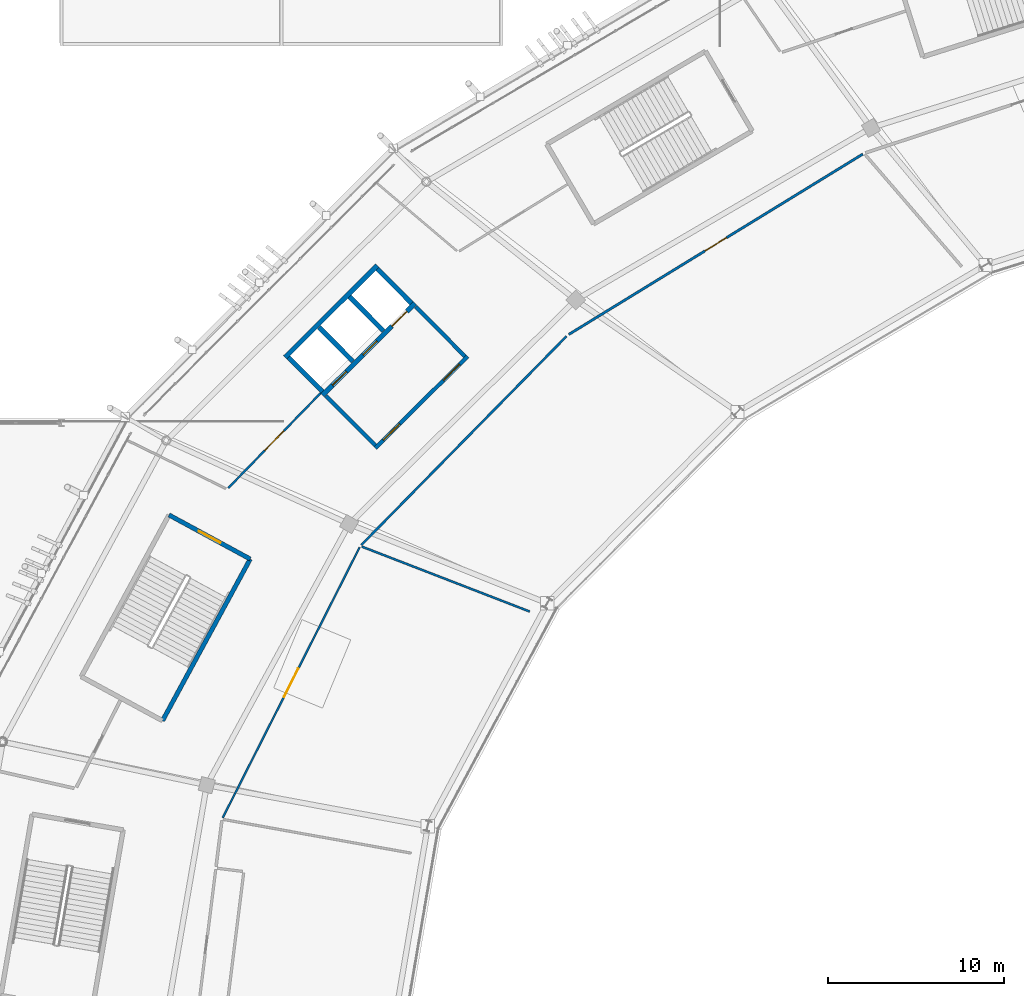
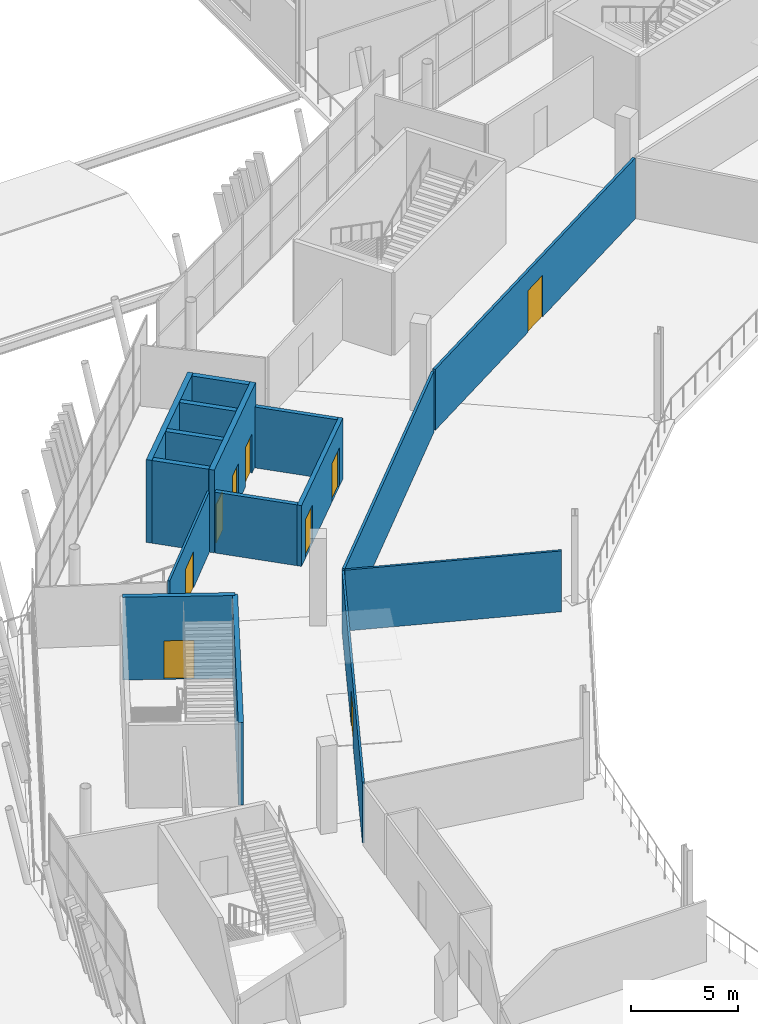
# One storey, part 128 of 179: 16 walls, 9 doors, 9 openings.
"""IFC4 building model written with IfcOpenShell, lengths in metres."""

from ifc_helpers import new_model, si_unit, direction, frame, frame_2d, origin, place, context, subcontext, project, spatial, rectangle, extrude, material, layer, layer_set, type_object, element, fill, save


model = new_model("IFC4")

# Units and contexts
model_context = context("Model", 3, precision=1e-05, world=origin(), true_north=direction((0.0, 1.0)))
body_context = subcontext(model_context, "Body", "Model", "MODEL_VIEW")
ifc_project = project(units=[si_unit("LENGTHUNIT", "METRE"), si_unit("AREAUNIT", "SQUARE_METRE"), si_unit("VOLUMEUNIT", "CUBIC_METRE"), si_unit("PLANEANGLEUNIT", "RADIAN"), si_unit("MASSUNIT", "GRAM", prefix="KILO")], contexts=[model_context])

# Site, building, storey
site_placement = place(None, origin())
site = spatial("IfcSite", under=ifc_project, at=site_placement, CompositionType="ELEMENT")
building_placement = place(site_placement, origin())
building = spatial("IfcBuilding", under=site, at=building_placement, Name="Zlatoyarsky Gate Stadium", CompositionType="ELEMENT")
storey_placement = place(building_placement, frame((0.0, 0.0, 10.60009765625)))
storey = spatial("IfcBuildingStorey", under=building, at=storey_placement, Name="L02", CompositionType="ELEMENT", Elevation=10.60009765625)

# Wall, opening, door
ifc_material_1 = material(Name="Anodised aluminium acoustic operable wall", Category="aluminium")
ifc_layer_1 = layer(ifc_material_1, 0.114990234375)
ifc_layer_set_1 = layer_set([ifc_layer_1], Name="Anodised aluminium acoustic operable wall")
wall_type_1 = type_object("IfcWallType", Name="ACOUSTIC OPERABLE SUITE WALL 115", PredefinedType="MOVABLE", material=ifc_layer_set_1)
wall_1_placement = place(storey_placement, frame((39.226318359375, 118.187744140625, 0.0), z_axis=(0.0, 0.0, 1.0), x_axis=(-0.697422964576, -0.716659757822, 0.0)))
wall_1 = element("IfcWall", 1, at=wall_1_placement, inside=storey, type_object=wall_type_1, Name="L02 interior partition PRT-L02-OCC-09-1", PredefinedType="MOVABLE", context=body_context, shape_type="SweptSolid", body=[
    extrude(rectangle(XDim=7.52587890625, YDim=0.114990234375, at=frame_2d((3.762939453125, 0.0))), origin(), (0.0, 0.0, 1.0), 3.469970703125),
])
opening_1_placement = place(wall_1_placement, frame((2.98291015625, 0.0, 0.0)))
opening_1 = element("IfcOpeningElement", 2, at=opening_1_placement, cuts=wall_1, Name="Opening D-L02-358", PredefinedType="OPENING", context=body_context, shape_type="SweptSolid", body=[
    extrude(rectangle(XDim=1.56005859375, YDim=2.10009765625, at=frame_2d((0.780029296875, 1.050048828125))), frame((0.0, 0.0673828125, 0.0), z_axis=(0.0, -1.0, 0.0), x_axis=(1.0, 0.0, 0.0)), (0.0, 0.0, 1.0), 0.135009765625),
])
ifc_material_2 = material(Name="Solid-core oak veneer acoustic door", Category="wood")
door_type_1 = type_object("IfcDoorType", Name="ACOUSTIC INTERIOR DOOR 1560X2100", OperationType="NOTDEFINED", PredefinedType="DOOR", material=ifc_material_2)
door_1_placement = place(opening_1_placement, origin())
door_1 = element("IfcDoor", 3, at=door_1_placement, inside=storey, type_object=door_type_1, Name="L02 room door D-L02-358", OperationType="SINGLE_SWING_LEFT", OverallHeight=2.10009765625, OverallWidth=1.56005859375, PredefinedType="DOOR", context=body_context, shape_type="SweptSolid", body=[
    extrude(rectangle(XDim=1.56005859375, YDim=2.10009765625, at=frame_2d((0.780029296875, 1.050048828125))), frame((0.0, 0.02490234375, 0.0), z_axis=(0.0, -1.0, 0.0), x_axis=(1.0, 0.0, 0.0)), (0.0, 0.0, 1.0), 0.050048828125),
])
fill(opening_1, door_1)

ifc_material_3 = material(Name="Moisture-resistant masonry partition", Category="masonry")
ifc_layer_2 = layer(ifc_material_3, 0.139892578125)
ifc_layer_set_2 = layer_set([ifc_layer_2], Name="Moisture-resistant masonry partition")
wall_type_2 = type_object("IfcWallType", Name="ATHLETE CHANGING BLOCK PARTITION 140", PredefinedType="PARTITIONING", material=ifc_layer_set_2)
wall_2_placement = place(storey_placement, frame((70.033447265625, 131.771728515625, 0.0), z_axis=(0.0, 0.0, 1.0), x_axis=(-0.852383811978, -0.522916663607, 0.0)))
wall_2 = element("IfcWall", 4, at=wall_2_placement, inside=storey, type_object=wall_type_2, Name="L02 interior partition PRT-L02-ICC-08", PredefinedType="PARTITIONING", context=body_context, shape_type="SweptSolid", body=[
    extrude(rectangle(XDim=19.596923828125, YDim=0.139892578125, at=frame_2d((9.79833984375, 0.0))), origin(), (0.0, 0.0, 1.0), 3.469970703125),
])
opening_2_placement = place(wall_2_placement, frame((9.07861328125, 0.0, 0.0)))
opening_2 = element("IfcOpeningElement", 5, at=opening_2_placement, cuts=wall_2, Name="Opening D-L02-303", PredefinedType="OPENING", context=body_context, shape_type="SweptSolid", body=[
    extrude(rectangle(XDim=1.43994140625, YDim=2.3798828125, at=frame_2d((0.719970703125, 1.18994140625))), frame((0.0, 0.079833984375, 0.0), z_axis=(0.0, -1.0, 0.0), x_axis=(1.0, 0.0, 0.0)), (0.0, 0.0, 1.0), 0.159912109375),
])
ifc_material_4 = material(Name="Powder-coated steel fire door", Category="steel")
door_type_2 = type_object("IfcDoorType", Name="ACOUSTIC INTERIOR DOOR 1440X2380", OperationType="NOTDEFINED", PredefinedType="DOOR", material=ifc_material_4)
door_2_placement = place(opening_2_placement, origin())
door_2 = element("IfcDoor", 6, at=door_2_placement, inside=storey, type_object=door_type_2, Name="L02 room door D-L02-303", OperationType="SINGLE_SWING_LEFT", OverallHeight=2.3798828125, OverallWidth=1.43994140625, PredefinedType="DOOR", context=body_context, shape_type="SweptSolid", body=[
    extrude(rectangle(XDim=1.43994140625, YDim=2.3798828125, at=frame_2d((0.719970703125, 1.18994140625))), frame((0.0, 0.02490234375, 0.0), z_axis=(0.0, -1.0, 0.0), x_axis=(1.0, 0.0, 0.0)), (0.0, 0.0, 1.0), 0.050048828125),
])
fill(opening_2, door_2)

# Walls
ifc_material_5 = material(Name="Concrete C40/50", Category="concrete")
ifc_layer_3 = layer(ifc_material_5, 0.27001953125)
ifc_layer_set_3 = layer_set([ifc_layer_3], Name="Concrete C40/50")
wall_type_3 = type_object("IfcWallType", Name="CONCRETE LIFT SHAFT SHEAR WALL 270", PredefinedType="SHEAR", material=ifc_layer_set_3)
wall_3_placement = place(storey_placement, frame((42.452880859375, 125.443603515625, 0.0), z_axis=(0.0, 0.0, 1.0), x_axis=(-0.708902567846, -0.705306422274, 0.0)))
element("IfcWall", 7, at=wall_3_placement, inside=storey, type_object=wall_type_3, Name="C2 L02 lift shaft rear wall", PredefinedType="SHEAR", context=body_context, shape_type="SweptSolid", body=[
    extrude(rectangle(XDim=7.39990234375, YDim=0.27001953125, at=frame_2d((3.699951171875, 0.0))), origin(), (0.0, 0.0, 1.0), 4.719970703125),
])
for number, where, z_axis, x_axis, name in (
    (8, (42.45947265625, 125.24560546875, 0.0), (0.0, 0.0, 1.0), (0.705322518225, -0.708886553183, 0.0), "C2 L02 lift shaft left wall"),
    (9, (37.405029296875, 120.216796875, 0.0), (0.0, 0.0, 1.0), (0.705322518225, -0.708886553183, 0.0), "C2 L02 lift shaft right wall"),
    (10, (40.87158203125, 123.665771484375, 0.0), (0.0, 0.0, 1.0), (0.705322518225, -0.708886553183, 0.0), "C2 L02 lift shaft divider 1"),
    (11, (39.134765625, 121.937744140625, 0.0), (0.0, 0.0, 1.0), (0.705322518225, -0.708886553183, 0.0), "C2 L02 lift shaft divider 2"),
):
    element("IfcWall", number, at=place(storey_placement, frame(where, z_axis=z_axis, x_axis=x_axis)), inside=storey, type_object=wall_type_3, Name=name, PredefinedType="SHEAR", context=body_context, shape_type="SweptSolid", body=[
        extrude(rectangle(XDim=2.739990234375, YDim=0.27001953125, at=frame_2d((1.3701171875, 0.0))), origin(), (0.0, 0.0, 1.0), 4.719970703125),
    ])

# Wall, openings, doors
wall_4_placement = place(storey_placement, frame((44.590087890625, 123.295654296875, 0.0), z_axis=(0.0, 0.0, 1.0), x_axis=(-0.708918979457, -0.705289926602, 0.0)))
wall_4 = element("IfcWall", 12, at=wall_4_placement, inside=storey, type_object=wall_type_3, Name="C2 L02 lift landing front wall", PredefinedType="SHEAR", context=body_context, shape_type="SweptSolid", body=[
    extrude(rectangle(XDim=7.400146484375, YDim=0.27001953125, at=frame_2d((3.7001953125, 0.0))), origin(), (0.0, 0.0, 1.0), 4.719970703125),
])
opening_3_placement = place(wall_4_placement, frame((0.64990234375, 0.0, 0.0)))
opening_3 = element("IfcOpeningElement", 13, at=opening_3_placement, cuts=wall_4, Name="Opening LD-FL-02-L02", PredefinedType="OPENING", context=body_context, shape_type="SweptSolid", body=[
    extrude(rectangle(XDim=1.199951171875, YDim=2.25, at=frame_2d((0.60009765625, 1.125))), frame((0.0, 0.14501953125, 0.0), z_axis=(0.0, -1.0, 0.0), x_axis=(1.0, 0.0, 0.0)), (0.0, 0.0, 1.0), 0.2900390625),
])
opening_4_placement = place(wall_4_placement, frame((3.050048828125, 0.0, 0.0)))
opening_4 = element("IfcOpeningElement", 14, at=opening_4_placement, cuts=wall_4, Name="Opening LD-LF-03-L02", PredefinedType="OPENING", context=body_context, shape_type="SweptSolid", body=[
    extrude(rectangle(XDim=1.10009765625, YDim=2.199951171875, at=frame_2d((0.550048828125, 1.10009765625))), frame((0.0, 0.14501953125, 0.0), z_axis=(0.0, -1.0, 0.0), x_axis=(1.0, 0.0, 0.0)), (0.0, 0.0, 1.0), 0.2900390625),
])
opening_5_placement = place(wall_4_placement, frame((5.5, 0.0, 0.0)))
opening_5 = element("IfcOpeningElement", 15, at=opening_5_placement, cuts=wall_4, Name="Opening LD-LF-04-L02", PredefinedType="OPENING", context=body_context, shape_type="SweptSolid", body=[
    extrude(rectangle(XDim=1.10009765625, YDim=2.199951171875, at=frame_2d((0.550048828125, 1.10009765625))), frame((0.0, 0.14501953125, 0.0), z_axis=(0.0, -1.0, 0.0), x_axis=(1.0, 0.0, 0.0)), (0.0, 0.0, 1.0), 0.2900390625),
])
door_type_3 = type_object("IfcDoorType", Name="STAINLESS LIFT LANDING SLIDING DOOR 1100X2200", OperationType="DOUBLE_DOOR_SLIDING", PredefinedType="DOOR", material=ifc_material_4)
door_3_placement = place(opening_4_placement, origin())
door_3 = element("IfcDoor", 16, at=door_3_placement, inside=storey, type_object=door_type_3, Name="Lift LF-03 L02 sliding landing door", OperationType="DOUBLE_DOOR_SLIDING", OverallHeight=2.199951171875, OverallWidth=1.10009765625, PredefinedType="DOOR", context=body_context, shape_type="SweptSolid", body=[
    extrude(rectangle(XDim=1.10009765625, YDim=2.199951171875, at=frame_2d((0.550048828125, 1.10009765625))), frame((0.0, 0.02490234375, 0.0), z_axis=(0.0, -1.0, 0.0), x_axis=(1.0, 0.0, 0.0)), (0.0, 0.0, 1.0), 0.050048828125),
])
fill(opening_4, door_3)
door_4_placement = place(opening_5_placement, origin())
door_4 = element("IfcDoor", 17, at=door_4_placement, inside=storey, type_object=door_type_3, Name="Lift LF-04 L02 sliding landing door", OperationType="DOUBLE_DOOR_SLIDING", OverallHeight=2.199951171875, OverallWidth=1.10009765625, PredefinedType="DOOR", context=body_context, shape_type="SweptSolid", body=[
    extrude(rectangle(XDim=1.10009765625, YDim=2.199951171875, at=frame_2d((0.550048828125, 1.10009765625))), frame((0.0, 0.02490234375, 0.0), z_axis=(0.0, -1.0, 0.0), x_axis=(1.0, 0.0, 0.0)), (0.0, 0.0, 1.0), 0.050048828125),
])
fill(opening_5, door_4)
door_type_4 = type_object("IfcDoorType", Name="STAINLESS LIFT LANDING SLIDING DOOR 1200X2250", OperationType="DOUBLE_DOOR_SLIDING", PredefinedType="DOOR", material=ifc_material_4)
door_5_placement = place(opening_3_placement, origin())
door_5 = element("IfcDoor", 18, at=door_5_placement, inside=storey, type_object=door_type_4, Name="Lift FL-02 L02 sliding landing door", OperationType="DOUBLE_DOOR_SLIDING", OverallHeight=2.25, OverallWidth=1.199951171875, PredefinedType="DOOR", context=body_context, shape_type="SweptSolid", body=[
    extrude(rectangle(XDim=1.199951171875, YDim=2.25, at=frame_2d((0.60009765625, 1.125))), frame((0.0, 0.02490234375, 0.0), z_axis=(0.0, -1.0, 0.0), x_axis=(1.0, 0.0, 0.0)), (0.0, 0.0, 1.0), 0.050048828125),
])
fill(opening_3, door_5)

# Wall, opening, door
ifc_layer_4 = layer(ifc_material_5, 0.25)
ifc_layer_set_4 = layer_set([ifc_layer_4], Name="Concrete C40/50")
wall_type_4 = type_object("IfcWallType", Name="CONCRETE STAIR CORE SHEAR WALL 250", PredefinedType="SHEAR", material=ifc_layer_set_4)
wall_5_placement = place(storey_placement, frame((35.229736328125, 108.764892578125, 0.0), z_axis=(0.0, 0.0, 1.0), x_axis=(-0.878941993928, 0.476928685769, 0.0)))
wall_5 = element("IfcWall", 19, at=wall_5_placement, inside=storey, type_object=wall_type_4, Name="ST-06 L02 stair core entrance shear wall", PredefinedType="SHEAR", context=body_context, shape_type="SweptSolid", body=[
    extrude(rectangle(XDim=5.25, YDim=0.25, at=frame_2d((2.625, 0.0))), origin(), (0.0, 0.0, 1.0), 4.719970703125),
])
opening_6_placement = place(wall_5_placement, frame((1.925048828125, 0.0, 0.0)))
opening_6 = element("IfcOpeningElement", 20, at=opening_6_placement, cuts=wall_5, Name="Opening SD-ST-06-L02", PredefinedType="OPENING", context=body_context, shape_type="SweptSolid", body=[
    extrude(rectangle(XDim=1.39990234375, YDim=2.199951171875, at=frame_2d((0.699951171875, 1.10009765625))), frame((0.0, 0.135009765625, 0.0), z_axis=(0.0, -1.0, 0.0), x_axis=(1.0, 0.0, 0.0)), (0.0, 0.0, 1.0), 0.27001953125),
])
door_type_5 = type_object("IfcDoorType", Name="STAIR CORE FIRE EXIT DOOR 1400X2200", OperationType="NOTDEFINED", PredefinedType="DOOR", material=ifc_material_4)
door_6_placement = place(opening_6_placement, frame((1.39990234375, 0.0, 0.0), z_axis=(0.0, 0.0, 1.0), x_axis=(-1.0, 0.0, 0.0)))
door_6 = element("IfcDoor", 21, at=door_6_placement, inside=storey, type_object=door_type_5, Name="ST-06 L02 stair fire door", OperationType="SINGLE_SWING_LEFT", OverallHeight=2.199951171875, OverallWidth=1.39990234375, PredefinedType="DOOR", context=body_context, shape_type="SweptSolid", body=[
    extrude(rectangle(XDim=1.39990234375, YDim=2.199951171875, at=frame_2d((0.699951171875, 1.10009765625))), frame((0.0, 0.02490234375, 0.0), z_axis=(0.0, -1.0, 0.0), x_axis=(1.0, 0.0, 0.0)), (0.0, 0.0, 1.0), 0.050048828125),
])
fill(opening_6, door_6)

# Walls
wall_6_placement = place(storey_placement, frame((30.246337890625, 99.579833984375, 0.0), z_axis=(0.0, 0.0, 1.0), x_axis=(0.476886649814, 0.878964802042, 0.0)))
element("IfcWall", 22, at=wall_6_placement, inside=storey, type_object=wall_type_4, Name="ST-06 L02 stair core right shear wall", PredefinedType="SHEAR", context=body_context, shape_type="SweptSolid", body=[
    extrude(rectangle(XDim=10.449951171875, YDim=0.25, at=frame_2d((5.22509765625, 0.0))), origin(), (0.0, 0.0, 1.0), 4.719970703125),
])
ifc_material_6 = material(Name="Autoclaved aerated concrete masonry EI 120", Category="masonry")
ifc_layer_5 = layer(ifc_material_6, 0.219970703125)
ifc_layer_set_5 = layer_set([ifc_layer_5], Name="Autoclaved aerated concrete masonry EI 120")
wall_type_5 = type_object("IfcWallType", Name="FIREFIGHTING LOBBY RATED WALL 220", PredefinedType="PARTITIONING", material=ifc_layer_set_5)
for number, where, z_axis, x_axis, name in (
    (23, (44.621337890625, 123.1083984375, 0.0), (0.0, 0.0, 1.0), (0.705294916294, -0.708914015273, 0.0), "C2 L02 firefighting lobby left wall"),
    (24, (39.531494140625, 118.044189453125, 0.0), (0.0, 0.0, 1.0), (0.705294916294, -0.708914015273, 0.0), "C2 L02 firefighting lobby right wall"),
):
    element("IfcWall", number, at=place(storey_placement, frame(where, z_axis=z_axis, x_axis=x_axis)), inside=storey, type_object=wall_type_5, Name=name, PredefinedType="PARTITIONING", context=body_context, shape_type="SweptSolid", body=[
        extrude(rectangle(XDim=3.97998046875, YDim=0.219970703125, at=frame_2d((1.989990234375, 0.0))), origin(), (0.0, 0.0, 1.0), 3.469970703125),
    ])

# Wall, openings, doors
wall_7_placement = place(storey_placement, frame((47.583984375, 120.286376953125, 0.0), z_axis=(0.0, 0.0, 1.0), x_axis=(-0.708902567846, -0.705306422274, 0.0)))
wall_7 = element("IfcWall", 25, at=wall_7_placement, inside=storey, type_object=wall_type_5, Name="C2 L02 firefighting lobby front wall", PredefinedType="PARTITIONING", context=body_context, shape_type="SweptSolid", body=[
    extrude(rectangle(XDim=7.39990234375, YDim=0.219970703125, at=frame_2d((3.699951171875, 0.0))), origin(), (0.0, 0.0, 1.0), 3.469970703125),
])
opening_7_placement = place(wall_7_placement, frame((0.64990234375, 0.0, 0.0)))
opening_7 = element("IfcOpeningElement", 26, at=opening_7_placement, cuts=wall_7, Name="Opening FD-C2-L02-A", PredefinedType="OPENING", context=body_context, shape_type="SweptSolid", body=[
    extrude(rectangle(XDim=1.300048828125, YDim=2.199951171875, at=frame_2d((0.64990234375, 1.10009765625))), frame((0.0, 0.119873046875, 0.0), z_axis=(0.0, -1.0, 0.0), x_axis=(1.0, 0.0, 0.0)), (0.0, 0.0, 1.0), 0.239990234375),
])
opening_8_placement = place(wall_7_placement, frame((5.449951171875, 0.0, 0.0)))
opening_8 = element("IfcOpeningElement", 27, at=opening_8_placement, cuts=wall_7, Name="Opening FD-C2-L02-B", PredefinedType="OPENING", context=body_context, shape_type="SweptSolid", body=[
    extrude(rectangle(XDim=1.300048828125, YDim=2.199951171875, at=frame_2d((0.64990234375, 1.10009765625))), frame((0.0, 0.119873046875, 0.0), z_axis=(0.0, -1.0, 0.0), x_axis=(1.0, 0.0, 0.0)), (0.0, 0.0, 1.0), 0.239990234375),
])
door_type_6 = type_object("IfcDoorType", Name="FIREFIGHTING LOBBY FIRE DOOR 1300X2200", OperationType="NOTDEFINED", PredefinedType="DOOR", material=ifc_material_4)
door_7_placement = place(opening_7_placement, origin())
door_7 = element("IfcDoor", 28, at=door_7_placement, inside=storey, type_object=door_type_6, Name="C2 L02 firefighting lobby fire door FD-C2-L02-A", OperationType="SINGLE_SWING_LEFT", OverallHeight=2.199951171875, OverallWidth=1.300048828125, PredefinedType="DOOR", context=body_context, shape_type="SweptSolid", body=[
    extrude(rectangle(XDim=1.300048828125, YDim=2.199951171875, at=frame_2d((0.64990234375, 1.10009765625))), frame((0.0, 0.02490234375, 0.0), z_axis=(0.0, -1.0, 0.0), x_axis=(1.0, 0.0, 0.0)), (0.0, 0.0, 1.0), 0.050048828125),
])
fill(opening_7, door_7)
door_8_placement = place(opening_8_placement, origin())
door_8 = element("IfcDoor", 29, at=door_8_placement, inside=storey, type_object=door_type_6, Name="C2 L02 firefighting lobby fire door FD-C2-L02-B", OperationType="SINGLE_SWING_RIGHT", OverallHeight=2.199951171875, OverallWidth=1.300048828125, PredefinedType="DOOR", context=body_context, shape_type="SweptSolid", body=[
    extrude(rectangle(XDim=1.300048828125, YDim=2.199951171875, at=frame_2d((0.64990234375, 1.10009765625))), frame((0.0, 0.02490234375, 0.0), z_axis=(0.0, -1.0, 0.0), x_axis=(1.0, 0.0, 0.0)), (0.0, 0.0, 1.0), 0.050048828125),
])
fill(opening_8, door_8)

# Wall, opening, door
ifc_material_7 = material(Name="Metal-stud gypsum partition", Category="gypsum")
ifc_layer_6 = layer(ifc_material_7, 0.110107421875)
ifc_layer_set_6 = layer_set([ifc_layer_6], Name="Metal-stud gypsum partition")
wall_type_6 = type_object("IfcWallType", Name="KIOSK SERVICE PARTITION 110", PredefinedType="PARTITIONING", material=ifc_layer_set_6)
wall_8_placement = place(storey_placement, frame((41.4453125, 109.42822265625, 0.0), z_axis=(0.0, 0.0, 1.0), x_axis=(-0.451596331637, -0.892222367603, 0.0)))
wall_8 = element("IfcWall", 30, at=wall_8_placement, inside=storey, type_object=wall_type_6, Name="L02 interior partition PRT-L02-ICC-10", PredefinedType="PARTITIONING", context=body_context, shape_type="SweptSolid", body=[
    extrude(rectangle(XDim=17.22509765625, YDim=0.110107421875, at=frame_2d((8.612548828125, 0.0))), origin(), (0.0, 0.0, 1.0), 3.469970703125),
])
opening_9_placement = place(wall_8_placement, frame((7.70263671875, 0.0, 0.0)))
opening_9 = element("IfcOpeningElement", 31, at=opening_9_placement, cuts=wall_8, Name="Opening D-L02-306", PredefinedType="OPENING", context=body_context, shape_type="SweptSolid", body=[
    extrude(rectangle(XDim=1.820068359375, YDim=2.10009765625, at=frame_2d((0.91015625, 1.050048828125))), frame((0.0, 0.06494140625, 0.0), z_axis=(0.0, -1.0, 0.0), x_axis=(1.0, 0.0, 0.0)), (0.0, 0.0, 1.0), 0.130126953125),
])
door_type_7 = type_object("IfcDoorType", Name="ACOUSTIC INTERIOR DOOR 1820X2100", OperationType="NOTDEFINED", PredefinedType="DOOR", material=ifc_material_2)
door_9_placement = place(opening_9_placement, origin())
door_9 = element("IfcDoor", 32, at=door_9_placement, inside=storey, type_object=door_type_7, Name="L02 room door D-L02-306", OperationType="SINGLE_SWING_RIGHT", OverallHeight=2.10009765625, OverallWidth=1.820068359375, PredefinedType="DOOR", context=body_context, shape_type="SweptSolid", body=[
    extrude(rectangle(XDim=1.820068359375, YDim=2.10009765625, at=frame_2d((0.91015625, 1.050048828125))), frame((0.0, 0.02490234375, 0.0), z_axis=(0.0, -1.0, 0.0), x_axis=(1.0, 0.0, 0.0)), (0.0, 0.0, 1.0), 0.050048828125),
])
fill(opening_9, door_9)

# Walls
ifc_layer_7 = layer(ifc_material_7, 0.1201171875)
ifc_layer_set_7 = layer_set([ifc_layer_7], Name="Metal-stud gypsum partition")
wall_type_7 = type_object("IfcWallType", Name="OFFICE AND PRESS PARTITION 120", PredefinedType="PARTITIONING", material=ifc_layer_set_7)
wall_9_placement = place(storey_placement, frame((51.10986328125, 105.781494140625, 0.0), z_axis=(0.0, 0.0, 1.0), x_axis=(-0.932688749804, 0.36068226459, 0.0)))
element("IfcWall", 33, at=wall_9_placement, inside=storey, type_object=wall_type_7, Name="L02 interior partition PRT-L02-IRD-10", PredefinedType="PARTITIONING", context=body_context, shape_type="SweptSolid", body=[
    extrude(rectangle(XDim=10.23583984375, YDim=0.1201171875, at=frame_2d((5.117919921875, 0.0))), origin(), (0.0, 0.0, 1.0), 3.469970703125),
])
ifc_material_8 = material(Name="Moisture-resistant tile-backed partition", Category="gypsum")
ifc_layer_8 = layer(ifc_material_8, 0.1298828125)
ifc_layer_set_8 = layer_set([ifc_layer_8], Name="Moisture-resistant tile-backed partition")
wall_type_8 = type_object("IfcWallType", Name="SANITARY WET ROOM PARTITION 130", PredefinedType="PARTITIONING", material=ifc_layer_set_8)
wall_10_placement = place(storey_placement, frame((53.197265625, 121.419189453125, 0.0), z_axis=(0.0, 0.0, 1.0), x_axis=(-0.70105233871, -0.71310982211, 0.0)))
element("IfcWall", 34, at=wall_10_placement, inside=storey, type_object=wall_type_8, Name="L02 interior partition PRT-L02-ICC-09M", PredefinedType="PARTITIONING", context=body_context, shape_type="SweptSolid", body=[
    extrude(rectangle(XDim=16.62353515625, YDim=0.1298828125, at=frame_2d((8.311767578125, 0.0))), origin(), (0.0, 0.0, 1.0), 3.469970703125),
])

save(model, "model.ifc")
